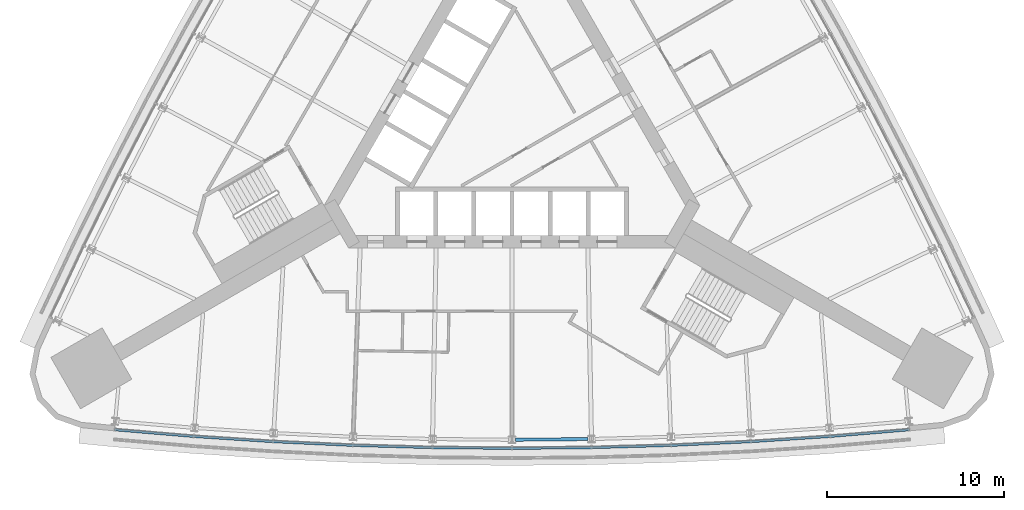
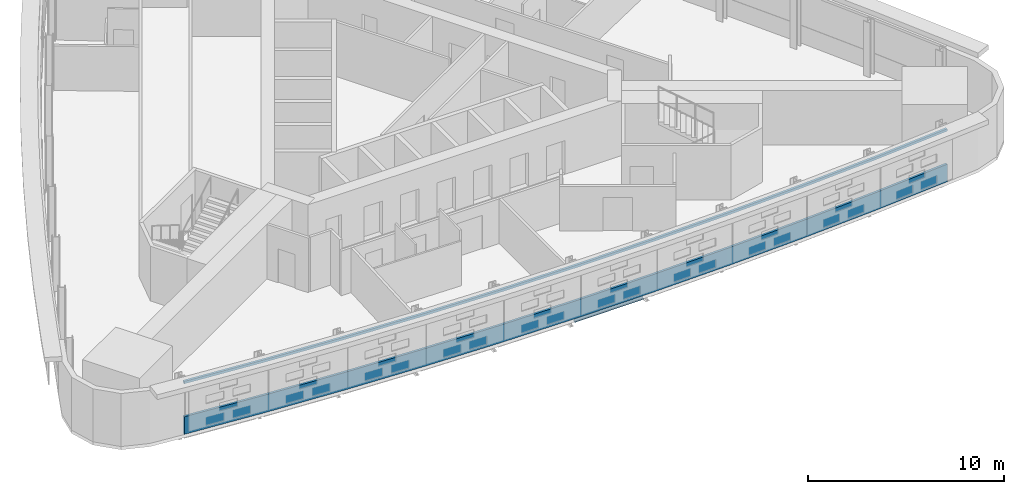
# One storey, part 3 of 14: 2 members, 1 beam, 1 element without a shape of its own.
"""IFC4 building model written with IfcOpenShell, lengths in metres."""

from ifc_helpers import new_model, si_unit, direction, frame, origin, origin_2d, place, context, subcontext, project, spatial, polyline, i_section, outline, extrude, material, material_profile, profile_set, type_object, element, aggregate, save


model = new_model("IFC4")

# Units and contexts
model_context = context("Model", 3, precision=1e-05, world=origin(), true_north=direction((0.0, 1.0)))
body_context = subcontext(model_context, "Body", "Model", "MODEL_VIEW")
ifc_project = project(units=[si_unit("LENGTHUNIT", "METRE"), si_unit("AREAUNIT", "SQUARE_METRE"), si_unit("VOLUMEUNIT", "CUBIC_METRE"), si_unit("PLANEANGLEUNIT", "RADIAN"), si_unit("MASSUNIT", "GRAM", prefix="KILO")], contexts=[model_context])

# Site, building, storey
site_placement = place(None, origin())
site = spatial("IfcSite", under=ifc_project, at=site_placement, CompositionType="ELEMENT")
building_placement = place(site_placement, origin())
building = spatial("IfcBuilding", under=site, at=building_placement, Name="Noor Cloister Tower", CompositionType="ELEMENT")
storey_placement = place(building_placement, frame((0.0, 0.0, 42.0)))
storey = spatial("IfcBuildingStorey", under=building, at=storey_placement, Name="L10", CompositionType="ELEMENT", Elevation=42.0)

# Curtain wall, members
ifc_material_1 = material(Name="Aluminium 6063-T6 anodised", Category="aluminium")
curtain_wall_type = type_object("IfcCurtainWallType", Name="Ribbon curtain wall, lower tower CW1", PredefinedType="NOTDEFINED", material=ifc_material_1)
curtain_wall_placement = place(storey_placement, origin())
curtain_wall = element("IfcCurtainWall", 1, at=curtain_wall_placement, inside=storey, type_object=curtain_wall_type, Name="CW1 L10 S run 2", PredefinedType="NOTDEFINED")
ifc_material_2 = material(Name="Aluminium 6063-T6 anodised", Category="aluminium")
member_type_1 = type_object("IfcMemberType", Name="Head transom CW1 150", PredefinedType="USERDEFINED", material=ifc_material_2)
member_1_placement = place(storey_placement, frame((0.0, 0.0, 3.14990234375)))
member_1 = element("IfcMember", 2, at=member_1_placement, type_object=member_type_1, Name="CW1 head transom", ObjectType="TRANSOM", PredefinedType="USERDEFINED", context=body_context, shape_type="SweptSolid", body=[
    extrude(outline(polyline([(-22.467041015625, -17.254150390625), (-17.983154296875, -17.633056640625), (-13.492919921875, -17.927734375), (-8.997802734375, -18.13818359375), (-4.499755859375, -18.2646484375), (0.0, -18.306884765625), (4.499755859375, -18.2646484375), (8.997802734375, -18.13818359375), (13.492919921875, -17.927734375), (17.983154296875, -17.633056640625), (22.467041015625, -17.254150390625), (22.455322265625, -17.11474609375), (17.97265625, -17.493408203125), (13.485107421875, -17.787841796875), (8.99267578125, -17.998291015625), (4.4970703125, -18.124755859375), (0.0, -18.166748046875), (-4.4970703125, -18.124755859375), (-8.99267578125, -17.998291015625), (-13.485107421875, -17.787841796875), (-17.97265625, -17.493408203125), (-22.455322265625, -17.11474609375), (-22.467041015625, -17.254150390625)])), origin(), (0.0, 0.0, 1.0), 0.150146484375),
])
ifc_material_3 = material(Name="Aluminium 6063-T6 anodised", Category="aluminium")
member_type_2 = type_object("IfcMemberType", Name="Sill transom CW1 1100", PredefinedType="USERDEFINED", material=ifc_material_3)
member_2_placement = place(storey_placement, origin())
member_2 = element("IfcMember", 3, at=member_2_placement, type_object=member_type_2, Name="CW1 sill transom", ObjectType="TRANSOM", PredefinedType="USERDEFINED", context=body_context, shape_type="SweptSolid", body=[
    extrude(outline(polyline([(-22.467041015625, -17.254150390625), (-17.983154296875, -17.633056640625), (-13.492919921875, -17.927734375), (-8.997802734375, -18.13818359375), (-4.499755859375, -18.2646484375), (0.0, -18.306884765625), (4.499755859375, -18.2646484375), (8.997802734375, -18.13818359375), (13.492919921875, -17.927734375), (17.983154296875, -17.633056640625), (22.467041015625, -17.254150390625), (22.455322265625, -17.11474609375), (17.97265625, -17.493408203125), (13.485107421875, -17.787841796875), (8.99267578125, -17.998291015625), (4.4970703125, -18.124755859375), (0.0, -18.166748046875), (-4.4970703125, -18.124755859375), (-8.99267578125, -17.998291015625), (-13.485107421875, -17.787841796875), (-17.97265625, -17.493408203125), (-22.455322265625, -17.11474609375), (-22.467041015625, -17.254150390625)])), origin(), (0.0, 0.0, 1.0), 1.10009765625),
])
aggregate(curtain_wall, [member_2, member_1])

# Beam
ifc_material_4 = material(Name="Steel ASTM A992 Gr 50", Category="steel")
ifc_material_profile = material_profile(ifc_material_4, i_section(OverallWidth=0.177978515625, OverallDepth=0.406005859375, WebThickness=0.0078125, FlangeThickness=0.0126953125, FilletRadius=0.01025390625, at=origin_2d()), Name="W410x60")
ifc_profile_set = profile_set([ifc_material_profile], Name="Steel ASTM A992 Gr 50")
beam_type = type_object("IfcBeamType", Name="Spandrel beam W410x60", PredefinedType="SPANDREL", material=ifc_profile_set)
beam_placement = place(storey_placement, frame((0.201904296875, -17.7548828125, -0.403076171875), z_axis=(0.99995599104, 0.009381683435, 0.0), x_axis=(-0.009381683435, 0.99995599104, 0.0)))
element("IfcBeam", 4, at=beam_placement, inside=storey, type_object=beam_type, Name="Spandrel beam S 06 L10", PredefinedType="SPANDREL", context=body_context, shape_type="SweptSolid", body=[
    extrude(i_section(OverallWidth=0.177978515625, OverallDepth=0.406005859375, WebThickness=0.0078125, FlangeThickness=0.0126953125, FilletRadius=0.01025390625, at=origin_2d()), origin(), (0.0, 0.0, 1.0), 4.085693359375),
])

save(model, "model.ifc")
